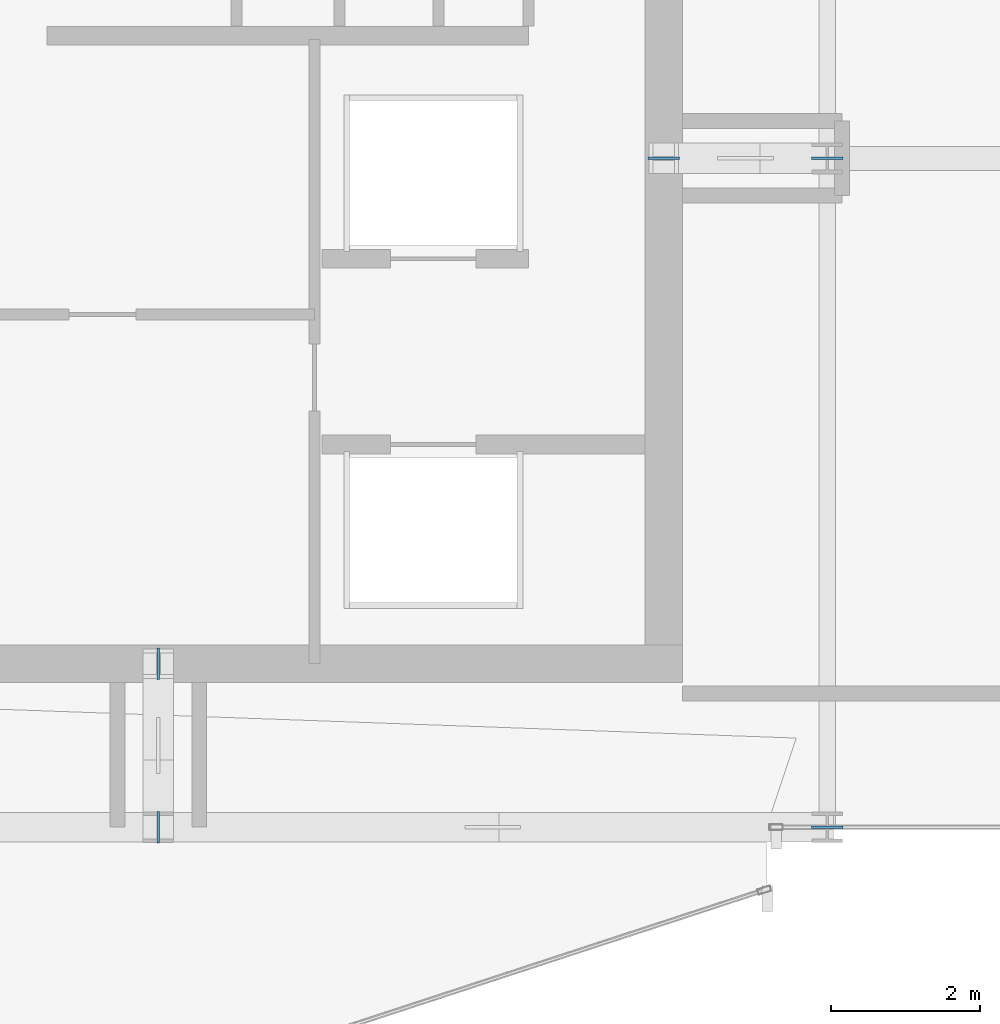
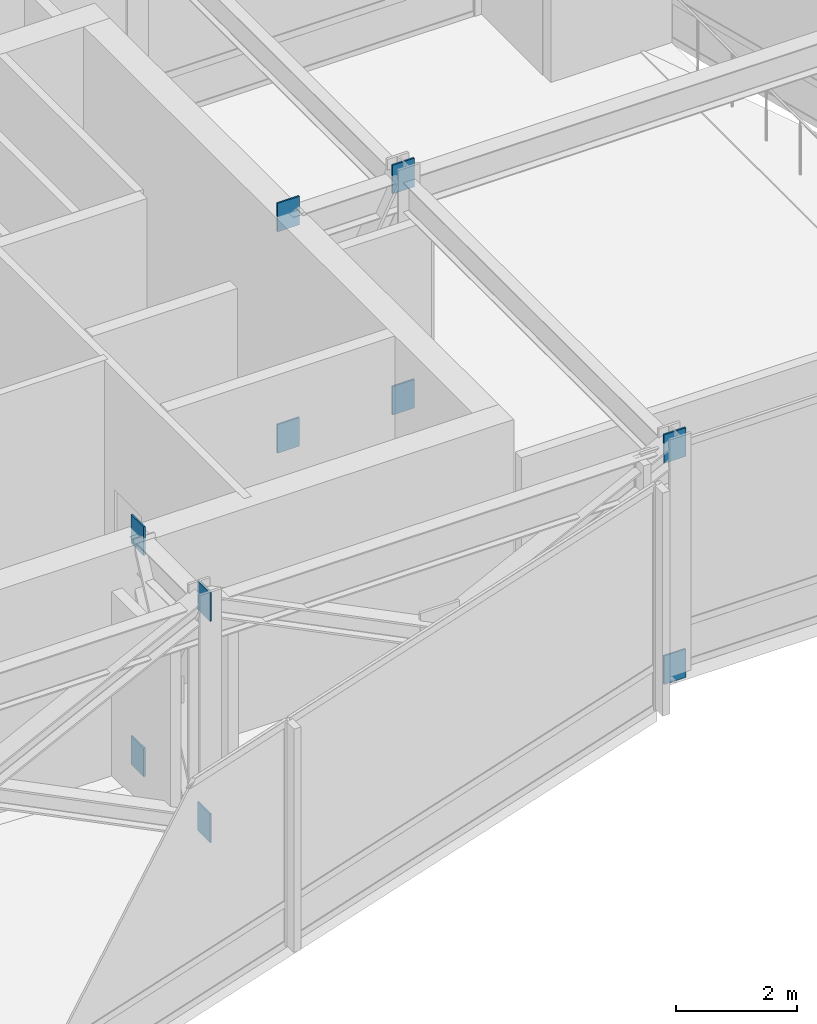
# One storey, part 21 of 30: 10 plates.
"""IFC4 building model written with IfcOpenShell, lengths in metres."""

from ifc_helpers import new_model, si_unit, direction, frame, origin, origin_2d, place, context, subcontext, project, spatial, rectangle, extrude, material, layer, layer_set, type_object, element, save


model = new_model("IFC4")

# Units and contexts
model_context = context("Model", 3, precision=1e-05, world=origin(), true_north=direction((0.0, 1.0)))
body_context = subcontext(model_context, "Body", "Model", "MODEL_VIEW")
ifc_project = project(units=[si_unit("LENGTHUNIT", "METRE"), si_unit("AREAUNIT", "SQUARE_METRE"), si_unit("VOLUMEUNIT", "CUBIC_METRE"), si_unit("PLANEANGLEUNIT", "RADIAN"), si_unit("MASSUNIT", "GRAM", prefix="KILO")], contexts=[model_context])

# Site, building, storey
site_placement = place(None, origin())
site = spatial("IfcSite", under=ifc_project, at=site_placement, CompositionType="ELEMENT")
building_placement = place(site_placement, origin())
building = spatial("IfcBuilding", under=site, at=building_placement, Name="Solvaryn Broadcast Tower", CompositionType="ELEMENT")
storey_placement = place(building_placement, frame((0.0, 0.0, 196.39990234375)))
storey = spatial("IfcBuildingStorey", under=building, at=storey_placement, Name="L49", CompositionType="ELEMENT", Elevation=196.39990234375)

# Plates
ifc_material = material(Name="Steel ASTM A572 Grade 50", Category="steel")
ifc_layer = layer(ifc_material, 0.031982421875)
ifc_layer_set = layer_set([ifc_layer], Name="PL-ENDCAP-32")
plate_type = type_object("IfcPlateType", Name="PL-ENDCAP-32", PredefinedType="USERDEFINED", material=ifc_layer_set)
for number, where, z_axis, x_axis, name in (
    (1, (36.0, 11.199951171875, -0.27001953125), (0.0, 0.0, 1.0), (1.0, 0.0, 0.0), "L49 Outrigger X-Brace S Continuous Diagonal End Plate A"),
    (2, (36.0, 9.0, 4.2099609375), (0.0, 0.0, 1.0), (1.0, 0.0, 0.0), "L49 Outrigger X-Brace S Continuous Diagonal End Plate B"),
    (3, (36.0, 11.199951171875, 4.2099609375), (0.0, 0.0, 1.0), (1.0, 0.0, 0.0), "L49 Outrigger X-Brace S End Plate 2A"),
    (4, (36.0, 9.0, -0.27001953125), (0.0, 0.0, 1.0), (1.0, 0.0, 0.0), "L49 Outrigger X-Brace S End Plate 2B"),
):
    element("IfcPlate", number, at=place(storey_placement, frame(where, z_axis=z_axis, x_axis=x_axis)), inside=storey, type_object=plate_type, Name=name, ObjectType="FLANGE_PLATE", PredefinedType="USERDEFINED", context=body_context, shape_type="SweptSolid", body=[
        extrude(rectangle(XDim=0.031982421875, YDim=0.419921875, at=origin_2d()), origin(), (0.0, 0.0, 1.0), 0.580078125),
    ])
for number, where, z_axis, x_axis, name in (
    (5, (42.800048828125, 18.0, -0.27001953125), (0.0, 0.0, 1.0), (1.0, 0.0, 0.0), "L49 Outrigger X-Brace E Continuous Diagonal End Plate A"),
    (6, (45.0, 18.0, 4.2099609375), (0.0, 0.0, 1.0), (1.0, 0.0, 0.0), "L49 Outrigger X-Brace E Continuous Diagonal End Plate B"),
    (7, (42.800048828125, 18.0, 4.2099609375), (0.0, 0.0, 1.0), (1.0, 0.0, 0.0), "L49 Outrigger X-Brace E End Plate 2A"),
    (8, (45.0, 18.0, -0.27001953125), (0.0, 0.0, 1.0), (1.0, 0.0, 0.0), "L49 Outrigger X-Brace E End Plate 2B"),
    (9, (45.0, 9.0, 4.2099609375), (0.0, 0.0, 1.0), (1.0, 0.0, 0.0), "L49 South Belt X-Brace 5 Continuous Diagonal End Plate B"),
    (10, (45.0, 9.0, -0.27001953125), (0.0, 0.0, 1.0), (1.0, 0.0, 0.0), "L49 South Belt X-Brace 5 End Plate 2A"),
):
    element("IfcPlate", number, at=place(storey_placement, frame(where, z_axis=z_axis, x_axis=x_axis)), inside=storey, type_object=plate_type, Name=name, ObjectType="FLANGE_PLATE", PredefinedType="USERDEFINED", context=body_context, shape_type="SweptSolid", body=[
        extrude(rectangle(XDim=0.419921875, YDim=0.031982421875, at=origin_2d()), origin(), (0.0, 0.0, 1.0), 0.580078125),
    ])

save(model, "model.ifc")
